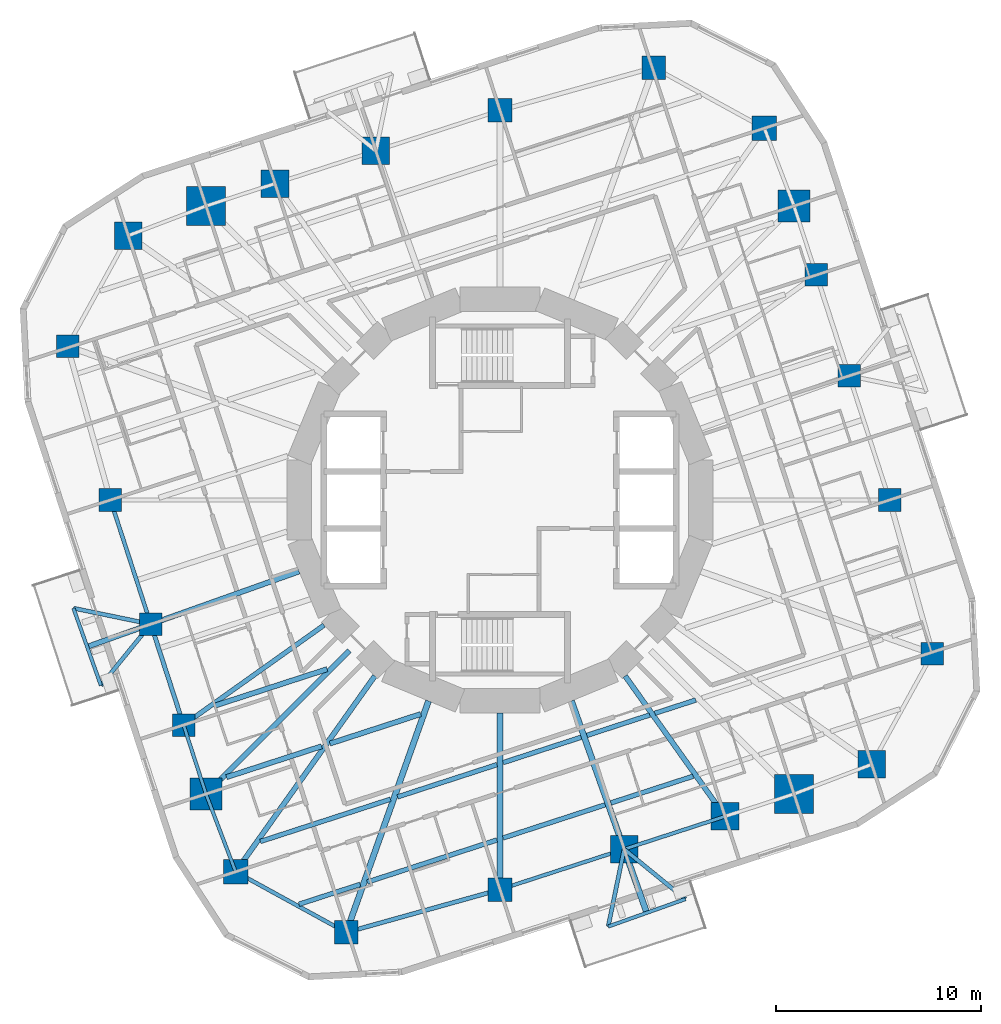
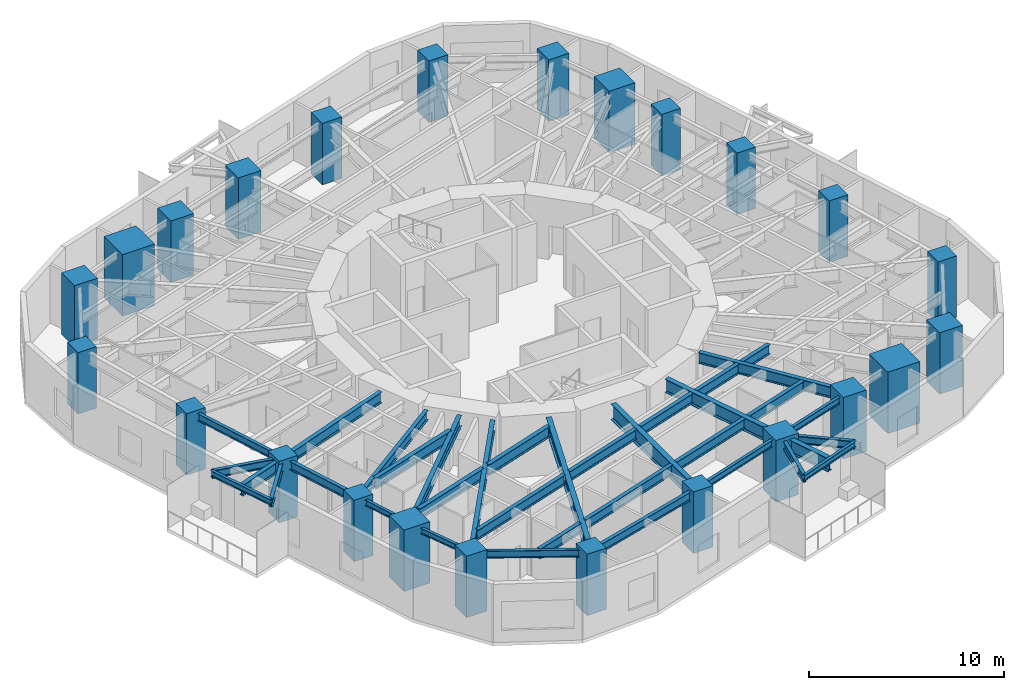
# One storey, part 1 of 12: 34 beams, 24 columns.
"""IFC4 building model written with IfcOpenShell, lengths in metres."""

from ifc_helpers import new_model, si_unit, direction, frame, origin, origin_2d, place, context, subcontext, project, spatial, rectangle, i_section, extrude, material, material_profile, profile_set, type_object, element, save


model = new_model("IFC4")

# Units and contexts
model_context = context("Model", 3, precision=1e-05, world=origin(), true_north=direction((0.0, 1.0)))
body_context = subcontext(model_context, "Body", "Model", "MODEL_VIEW")
ifc_project = project(units=[si_unit("LENGTHUNIT", "METRE"), si_unit("AREAUNIT", "SQUARE_METRE"), si_unit("VOLUMEUNIT", "CUBIC_METRE"), si_unit("PLANEANGLEUNIT", "RADIAN"), si_unit("MASSUNIT", "GRAM", prefix="KILO")], contexts=[model_context])

# Site, building, storey
site_placement = place(None, origin())
site = spatial("IfcSite", under=ifc_project, at=site_placement, CompositionType="ELEMENT")
building_placement = place(site_placement, origin())
building = spatial("IfcBuilding", under=site, at=building_placement, Name="Nakasero Lantern House", CompositionType="ELEMENT")
storey_placement = place(building_placement, frame((0.0, 0.0, 153.35009765625)))
storey = spatial("IfcBuildingStorey", under=building, at=storey_placement, Name="L37", CompositionType="ELEMENT", Elevation=153.35009765625)

# Columns
ifc_material_1 = material(Name="Concrete C50/60", Category="concrete")
ifc_material_profile_1 = material_profile(ifc_material_1, rectangle(XDim=1.550048828125, YDim=1.550048828125, at=origin_2d()), Name="RC 1550x1550")
ifc_profile_set_1 = profile_set([ifc_material_profile_1], Name="Concrete C50/60")
column_type_1 = type_object("IfcColumnType", Name="Mega column RC 1550x1550 C50/60", PredefinedType="COLUMN", material=ifc_profile_set_1)
for number, where, z_axis, x_axis, name in (
    (1, (14.3642578125, 14.3642578125, 0.0), (0.0, 0.0, 1.0), (1.0, 0.0, 0.0), "Column B4-C06 L37"),
    (2, (-14.3642578125, -14.3642578125, 0.0), (0.0, 0.0, 1.0), (1.0, 0.0, 0.0), "Column B4-C18 L37"),
):
    element("IfcColumn", number, at=place(storey_placement, frame(where, z_axis=z_axis, x_axis=x_axis)), inside=storey, type_object=column_type_1, Name=name, PredefinedType="COLUMN", context=body_context, shape_type="SweptSolid", body=[
        extrude(rectangle(XDim=1.550048828125, YDim=1.550048828125, at=origin_2d()), origin(), (0.0, 0.0, 1.0), 3.849853515625),
    ])
ifc_material_2 = material(Name="Concrete C50/60", Category="concrete")
ifc_material_profile_2 = material_profile(ifc_material_2, rectangle(XDim=1.89990234375, YDim=1.89990234375, at=origin_2d()), Name="RC 1900x1900")
ifc_profile_set_2 = profile_set([ifc_material_profile_2], Name="Concrete C50/60")
column_type_2 = type_object("IfcColumnType", Name="Mega column RC 1900x1900 C50/60", PredefinedType="COLUMN", material=ifc_profile_set_2)
for number, where, z_axis, x_axis, name in (
    (3, (-14.3642578125, 14.3642578125, 0.0), (0.0, 0.0, 1.0), (1.0, 0.0, 0.0), "Column B4-C12 L37"),
    (4, (14.3642578125, -14.3642578125, 0.0), (0.0, 0.0, 1.0), (1.0, 0.0, 0.0), "Column B4-C24 L37"),
):
    element("IfcColumn", number, at=place(storey_placement, frame(where, z_axis=z_axis, x_axis=x_axis)), inside=storey, type_object=column_type_2, Name=name, PredefinedType="COLUMN", context=body_context, shape_type="SweptSolid", body=[
        extrude(rectangle(XDim=1.89990234375, YDim=1.89990234375, at=origin_2d()), origin(), (0.0, 0.0, 1.0), 3.849853515625),
    ])
ifc_material_3 = material(Name="Concrete C50/60", Category="concrete")
ifc_material_profile_3 = material_profile(ifc_material_3, rectangle(XDim=1.10009765625, YDim=1.10009765625, at=origin_2d()), Name="RC 1100x1100")
ifc_profile_set_3 = profile_set([ifc_material_profile_3], Name="Concrete C50/60")
column_type_3 = type_object("IfcColumnType", Name="Ring column RC 1100x1100 C50/60", PredefinedType="COLUMN", material=ifc_profile_set_3)
for number, where, z_axis, x_axis, name in (
    (5, (21.129638671875, -7.5126953125, 0.0), (0.0, 0.0, 1.0), (1.0, 0.0, 0.0), "Column B4-C02 L37"),
    (6, (19.031494140625, 0.0, 0.0), (0.0, 0.0, 1.0), (1.0, 0.0, 0.0), "Column B4-C03 L37"),
    (7, (17.060546875, 6.06591796875, 0.0), (0.0, 0.0, 1.0), (1.0, 0.0, 0.0), "Column B4-C04 L37"),
    (8, (15.45947265625, 10.993408203125, 0.0), (0.0, 0.0, 1.0), (1.0, 0.0, 0.0), "Column B4-C05 L37"),
    (9, (-21.129638671875, 7.5126953125, 0.0), (0.0, 0.0, 1.0), (1.0, 0.0, 0.0), "Column B4-C14 L37"),
    (10, (-19.031494140625, 0.0, 0.0), (0.0, 0.0, 1.0), (1.0, 0.0, 0.0), "Column B4-C15 L37"),
    (11, (-17.060546875, -6.06591796875, 0.0), (0.0, 0.0, 1.0), (1.0, 0.0, 0.0), "Column B4-C16 L37"),
    (12, (-15.45947265625, -10.993408203125, 0.0), (0.0, 0.0, 1.0), (1.0, 0.0, 0.0), "Column B4-C17 L37"),
):
    element("IfcColumn", number, at=place(storey_placement, frame(where, z_axis=z_axis, x_axis=x_axis)), inside=storey, type_object=column_type_3, Name=name, PredefinedType="COLUMN", context=body_context, shape_type="SweptSolid", body=[
        extrude(rectangle(XDim=1.10009765625, YDim=1.10009765625, at=origin_2d()), origin(), (0.0, 0.0, 1.0), 3.849853515625),
    ])
ifc_material_4 = material(Name="Concrete C50/60", Category="concrete")
ifc_material_profile_4 = material_profile(ifc_material_4, rectangle(XDim=1.14990234375, YDim=1.14990234375, at=origin_2d()), Name="RC 1150x1150")
ifc_profile_set_4 = profile_set([ifc_material_profile_4], Name="Concrete C50/60")
column_type_4 = type_object("IfcColumnType", Name="Ring column RC 1150x1150 C50/60", PredefinedType="COLUMN", material=ifc_profile_set_4)
for number, where, z_axis, x_axis, name in (
    (13, (7.5126953125, 21.129638671875, 0.0), (0.0, 0.0, 1.0), (1.0, 0.0, 0.0), "Column B4-C08 L37"),
    (14, (0.0, 19.031494140625, 0.0), (0.0, 0.0, 1.0), (1.0, 0.0, 0.0), "Column B4-C09 L37"),
    (15, (-7.5126953125, -21.129638671875, 0.0), (0.0, 0.0, 1.0), (1.0, 0.0, 0.0), "Column B4-C20 L37"),
    (16, (0.0, -19.031494140625, 0.0), (0.0, 0.0, 1.0), (1.0, 0.0, 0.0), "Column B4-C21 L37"),
):
    element("IfcColumn", number, at=place(storey_placement, frame(where, z_axis=z_axis, x_axis=x_axis)), inside=storey, type_object=column_type_4, Name=name, PredefinedType="COLUMN", context=body_context, shape_type="SweptSolid", body=[
        extrude(rectangle(XDim=1.14990234375, YDim=1.14990234375, at=origin_2d()), origin(), (0.0, 0.0, 1.0), 3.849853515625),
    ])
ifc_material_5 = material(Name="Concrete C50/60", Category="concrete")
ifc_material_profile_5 = material_profile(ifc_material_5, rectangle(XDim=1.199951171875, YDim=1.199951171875, at=origin_2d()), Name="RC 1200x1200")
ifc_profile_set_5 = profile_set([ifc_material_profile_5], Name="Concrete C50/60")
column_type_5 = type_object("IfcColumnType", Name="Ring column RC 1200x1200 C50/60", PredefinedType="COLUMN", material=ifc_profile_set_5)
for number, where, z_axis, x_axis, name in (
    (17, (12.916015625, 18.1630859375, 0.0), (0.0, 0.0, 1.0), (1.0, 0.0, 0.0), "Column B4-C07 L37"),
    (18, (-12.916015625, -18.1630859375, 0.0), (0.0, 0.0, 1.0), (1.0, 0.0, 0.0), "Column B4-C19 L37"),
):
    element("IfcColumn", number, at=place(storey_placement, frame(where, z_axis=z_axis, x_axis=x_axis)), inside=storey, type_object=column_type_5, Name=name, PredefinedType="COLUMN", context=body_context, shape_type="SweptSolid", body=[
        extrude(rectangle(XDim=1.199951171875, YDim=1.199951171875, at=origin_2d()), origin(), (0.0, 0.0, 1.0), 3.849853515625),
    ])
ifc_material_6 = material(Name="Concrete C50/60", Category="concrete")
ifc_material_profile_6 = material_profile(ifc_material_6, rectangle(XDim=1.35009765625, YDim=1.35009765625, at=origin_2d()), Name="RC 1350x1350")
ifc_profile_set_6 = profile_set([ifc_material_profile_6], Name="Concrete C50/60")
column_type_6 = type_object("IfcColumnType", Name="Ring column RC 1350x1350 C50/60", PredefinedType="COLUMN", material=ifc_profile_set_6)
for number, where, z_axis, x_axis, name in (
    (19, (18.1630859375, -12.916015625, 0.0), (0.0, 0.0, 1.0), (1.0, 0.0, 0.0), "Column B4-C01 L37"),
    (20, (-6.06591796875, 17.060546875, 0.0), (0.0, 0.0, 1.0), (1.0, 0.0, 0.0), "Column B4-C10 L37"),
    (21, (-10.993408203125, 15.45947265625, 0.0), (0.0, 0.0, 1.0), (1.0, 0.0, 0.0), "Column B4-C11 L37"),
    (22, (-18.1630859375, 12.916015625, 0.0), (0.0, 0.0, 1.0), (1.0, 0.0, 0.0), "Column B4-C13 L37"),
    (23, (6.06591796875, -17.060546875, 0.0), (0.0, 0.0, 1.0), (1.0, 0.0, 0.0), "Column B4-C22 L37"),
    (24, (10.993408203125, -15.45947265625, 0.0), (0.0, 0.0, 1.0), (1.0, 0.0, 0.0), "Column B4-C23 L37"),
):
    element("IfcColumn", number, at=place(storey_placement, frame(where, z_axis=z_axis, x_axis=x_axis)), inside=storey, type_object=column_type_6, Name=name, PredefinedType="COLUMN", context=body_context, shape_type="SweptSolid", body=[
        extrude(rectangle(XDim=1.35009765625, YDim=1.35009765625, at=origin_2d()), origin(), (0.0, 0.0, 1.0), 3.849853515625),
    ])

# Beams
ifc_material_7 = material(Name="Steel S355", Category="steel")
ifc_material_profile_7 = material_profile(ifc_material_7, i_section(OverallWidth=0.199462890625, OverallDepth=0.491943359375, WebThickness=0.01806640625, FlangeThickness=0.031982421875, FilletRadius=0.01025390625, at=origin_2d()), Name="UB 457x191x161")
ifc_profile_set_7 = profile_set([ifc_material_profile_7], Name="Steel S355")
beam_type_1 = type_object("IfcBeamType", Name="Balcony splay beam UB 457x191x161", PredefinedType="BEAM", material=ifc_profile_set_7)
for number, where, z_axis, x_axis, name in (
    (25, (-17.060546875, -6.06591796875, 3.40380859375), (-0.632127727159, -0.774864205236, 0.0), (0.774864205236, -0.632127727159, 0.0), "Balcony splay beam L38 B4-C16A"),
    (26, (-17.060546875, -6.06591796875, 3.40380859375), (-0.979420272605, 0.201831438605, 0.0), (-0.201831438605, -0.979420272605, 0.0), "Balcony splay beam L38 B4-C16B"),
    (27, (6.06591796875, -17.060546875, 3.40380859375), (0.774864205236, -0.632127727159, 0.0), (0.632127727159, 0.774864205236, 0.0), "Balcony splay beam L38 B4-C22A"),
    (28, (6.06591796875, -17.060546875, 3.40380859375), (-0.201831438605, -0.979420272605, 0.0), (0.979420272605, -0.201831438605, 0.0), "Balcony splay beam L38 B4-C22B"),
):
    element("IfcBeam", number, at=place(storey_placement, frame(where, z_axis=z_axis, x_axis=x_axis)), inside=storey, type_object=beam_type_1, Name=name, PredefinedType="BEAM", context=body_context, shape_type="SweptSolid", body=[
        extrude(i_section(OverallWidth=0.199462890625, OverallDepth=0.491943359375, WebThickness=0.01806640625, FlangeThickness=0.031982421875, FilletRadius=0.01025390625, at=origin_2d()), origin(), (0.0, 0.0, 1.0), 3.858642578125),
    ])
ifc_material_8 = material(Name="Steel S355", Category="steel")
ifc_material_profile_8 = material_profile(ifc_material_8, i_section(OverallWidth=0.17138671875, OverallDepth=0.35498046875, WebThickness=0.00732421875, FlangeThickness=0.011474609375, FilletRadius=0.01025390625, at=origin_2d()), Name="UB 356x171x51")
ifc_profile_set_8 = profile_set([ifc_material_profile_8], Name="Steel S355")
beam_type_2 = type_object("IfcBeamType", Name="Balcony tie beam UB 356x171x51", PredefinedType="BEAM", material=ifc_profile_set_8)
for number, where, z_axis, x_axis, name in (
    (29, (-19.499755859375, -9.055908203125, 3.472412109375), (-0.335025321236, 0.942209124415, 0.0), (-0.942209124415, -0.335025321236, 0.0), "Balcony tie beam L38 B4-C16"),
    (30, (9.055908203125, -19.499755859375, 3.472412109375), (-0.942209124415, -0.335025321236, 0.0), (0.335025321236, -0.942209124415, 0.0), "Balcony tie beam L38 B4-C22"),
):
    element("IfcBeam", number, at=place(storey_placement, frame(where, z_axis=z_axis, x_axis=x_axis)), inside=storey, type_object=beam_type_2, Name=name, PredefinedType="BEAM", context=body_context, shape_type="SweptSolid", body=[
        extrude(i_section(OverallWidth=0.17138671875, OverallDepth=0.35498046875, WebThickness=0.00732421875, FlangeThickness=0.011474609375, FilletRadius=0.01025390625, at=origin_2d()), origin(), (0.0, 0.0, 1.0), 4.0),
    ])
ifc_material_9 = material(Name="Steel S355", Category="steel")
ifc_material_profile_9 = material_profile(ifc_material_9, i_section(OverallWidth=0.22900390625, OverallDepth=0.6123046875, WebThickness=0.011962890625, FlangeThickness=0.01953125, FilletRadius=0.0126953125, at=origin_2d()), Name="UB 610x229x125")
ifc_profile_set_9 = profile_set([ifc_material_profile_9], Name="Steel S355")
beam_type_3 = type_object("IfcBeamType", Name="Infill beam UB 610x229x125", PredefinedType="JOIST", material=ifc_profile_set_9)
beam_1_placement = place(storey_placement, frame((-9.823974609375, -19.75244140625, 3.34375), z_axis=(0.951054602662, 0.309022883872, 0.0), x_axis=(-0.309022883872, 0.951054602662, 0.0)))
element("IfcBeam", 31, at=beam_1_placement, inside=storey, type_object=beam_type_3, Name="Infill beam L38 03.1", PredefinedType="JOIST", context=body_context, shape_type="SweptSolid", body=[
    extrude(i_section(OverallWidth=0.22900390625, OverallDepth=0.6123046875, WebThickness=0.011962890625, FlangeThickness=0.01953125, FilletRadius=0.0126953125, at=origin_2d()), origin(), (0.0, 0.0, 1.0), 3.145263671875),
])
beam_2_placement = place(storey_placement, frame((-6.48193359375, -18.66650390625, 3.34375), z_axis=(0.951068556075, 0.308979937287, 0.0), x_axis=(-0.308979937287, 0.951068556075, 0.0)))
element("IfcBeam", 32, at=beam_2_placement, inside=storey, type_object=beam_type_3, Name="Infill beam L38 03.2", PredefinedType="JOIST", context=body_context, shape_type="SweptSolid", body=[
    extrude(i_section(OverallWidth=0.22900390625, OverallDepth=0.6123046875, WebThickness=0.011962890625, FlangeThickness=0.01953125, FilletRadius=0.0126953125, at=origin_2d()), origin(), (0.0, 0.0, 1.0), 6.65771484375),
])
beam_3_placement = place(storey_placement, frame((0.14990234375, -16.51171875, 3.34375), z_axis=(0.951061765699, 0.309000837904, 0.0), x_axis=(-0.309000837904, 0.951061765699, 0.0)))
element("IfcBeam", 33, at=beam_3_placement, inside=storey, type_object=beam_type_3, Name="Infill beam L38 03.3", PredefinedType="JOIST", context=body_context, shape_type="SweptSolid", body=[
    extrude(i_section(OverallWidth=0.22900390625, OverallDepth=0.6123046875, WebThickness=0.011962890625, FlangeThickness=0.01953125, FilletRadius=0.0126953125, at=origin_2d()), origin(), (0.0, 0.0, 1.0), 5.246337890625),
])
beam_4_placement = place(storey_placement, frame((5.41748046875, -14.80029296875, 3.34375), z_axis=(0.951057398427, 0.30901427944, 0.0), x_axis=(-0.30901427944, 0.951057398427, 0.0)))
element("IfcBeam", 34, at=beam_4_placement, inside=storey, type_object=beam_type_3, Name="Infill beam L38 03.4", PredefinedType="JOIST", context=body_context, shape_type="SweptSolid", body=[
    extrude(i_section(OverallWidth=0.22900390625, OverallDepth=0.6123046875, WebThickness=0.011962890625, FlangeThickness=0.01953125, FilletRadius=0.0126953125, at=origin_2d()), origin(), (0.0, 0.0, 1.0), 4.229248046875),
])
beam_5_placement = place(storey_placement, frame((-11.709228515625, -16.68505859375, 3.34375), z_axis=(0.951056080098, 0.30901833685, 0.0), x_axis=(-0.30901833685, 0.951056080098, 0.0)))
element("IfcBeam", 35, at=beam_5_placement, inside=storey, type_object=beam_type_3, Name="Infill beam L38 04.1", PredefinedType="JOIST", context=body_context, shape_type="SweptSolid", body=[
    extrude(i_section(OverallWidth=0.22900390625, OverallDepth=0.6123046875, WebThickness=0.011962890625, FlangeThickness=0.01953125, FilletRadius=0.0126953125, at=origin_2d()), origin(), (0.0, 0.0, 1.0), 6.68310546875),
])
beam_6_placement = place(storey_placement, frame((-5.00244140625, -14.505859375, 3.34375), z_axis=(0.951057977144, 0.309012498309, 0.0), x_axis=(-0.309012498309, 0.951057977144, 0.0)))
element("IfcBeam", 36, at=beam_6_placement, inside=storey, type_object=beam_type_3, Name="Infill beam L38 04.2", PredefinedType="JOIST", context=body_context, shape_type="SweptSolid", body=[
    extrude(i_section(OverallWidth=0.22900390625, OverallDepth=0.6123046875, WebThickness=0.011962890625, FlangeThickness=0.01953125, FilletRadius=0.0126953125, at=origin_2d()), origin(), (0.0, 0.0, 1.0), 5.102294921875),
])
beam_7_placement = place(storey_placement, frame((0.14990234375, -12.831787109375, 3.34375), z_axis=(0.95105910343, 0.309009031878, 0.0), x_axis=(-0.309009031878, 0.95105910343, 0.0)))
element("IfcBeam", 37, at=beam_7_placement, inside=storey, type_object=beam_type_3, Name="Infill beam L38 04.3", PredefinedType="JOIST", context=body_context, shape_type="SweptSolid", body=[
    extrude(i_section(OverallWidth=0.22900390625, OverallDepth=0.6123046875, WebThickness=0.011962890625, FlangeThickness=0.01953125, FilletRadius=0.0126953125, at=origin_2d()), origin(), (0.0, 0.0, 1.0), 4.0126953125),
])
beam_8_placement = place(storey_placement, frame((4.24462890625, -11.501220703125, 3.34375), z_axis=(0.951054080044, 0.309024492283, 0.0), x_axis=(-0.309024492283, 0.951054080044, 0.0)))
element("IfcBeam", 38, at=beam_8_placement, inside=storey, type_object=beam_type_3, Name="Infill beam L38 04.4", PredefinedType="JOIST", context=body_context, shape_type="SweptSolid", body=[
    extrude(i_section(OverallWidth=0.22900390625, OverallDepth=0.6123046875, WebThickness=0.011962890625, FlangeThickness=0.01953125, FilletRadius=0.0126953125, at=origin_2d()), origin(), (0.0, 0.0, 1.0), 3.227294921875),
])
beam_9_placement = place(storey_placement, frame((7.566650390625, -10.421875, 3.34375), z_axis=(0.951053739923, 0.30902553904, 0.0), x_axis=(-0.30902553904, 0.951053739923, 0.0)))
element("IfcBeam", 39, at=beam_9_placement, inside=storey, type_object=beam_type_3, Name="Infill beam L38 04.5", PredefinedType="JOIST", context=body_context, shape_type="SweptSolid", body=[
    extrude(i_section(OverallWidth=0.22900390625, OverallDepth=0.6123046875, WebThickness=0.011962890625, FlangeThickness=0.01953125, FilletRadius=0.0126953125, at=origin_2d()), origin(), (0.0, 0.0, 1.0), 2.09765625),
])
ifc_material_10 = material(Name="Steel S355", Category="steel")
ifc_material_profile_10 = material_profile(ifc_material_10, i_section(OverallWidth=0.253662109375, OverallDepth=0.68359375, WebThickness=0.012451171875, FlangeThickness=0.01904296875, FilletRadius=0.01513671875, at=origin_2d()), Name="UB 686x254x140")
ifc_profile_set_10 = profile_set([ifc_material_profile_10], Name="Steel S355")
beam_type_4 = type_object("IfcBeamType", Name="Infill beam UB 686x254x140", PredefinedType="JOIST", material=ifc_profile_set_10)
beam_10_placement = place(storey_placement, frame((-13.36279296875, -13.5419921875, 3.30810546875), z_axis=(0.951061574069, 0.309001427713, 0.0), x_axis=(-0.309001427713, 0.951061574069, 0.0)))
element("IfcBeam", 40, at=beam_10_placement, inside=storey, type_object=beam_type_4, Name="Infill beam L38 05.1", PredefinedType="JOIST", context=body_context, shape_type="SweptSolid", body=[
    extrude(i_section(OverallWidth=0.253662109375, OverallDepth=0.68359375, WebThickness=0.012451171875, FlangeThickness=0.01904296875, FilletRadius=0.01513671875, at=origin_2d()), origin(), (0.0, 0.0, 1.0), 4.8916015625),
])
beam_11_placement = place(storey_placement, frame((-8.305908203125, -11.89892578125, 3.30810546875), z_axis=(0.95106063111, 0.309004329989, 0.0), x_axis=(-0.309004329989, 0.95106063111, 0.0)))
element("IfcBeam", 41, at=beam_11_placement, inside=storey, type_object=beam_type_4, Name="Infill beam L38 05.2", PredefinedType="JOIST", context=body_context, shape_type="SweptSolid", body=[
    extrude(i_section(OverallWidth=0.253662109375, OverallDepth=0.68359375, WebThickness=0.012451171875, FlangeThickness=0.01904296875, FilletRadius=0.01513671875, at=origin_2d()), origin(), (0.0, 0.0, 1.0), 4.659912109375),
])
beam_12_placement = place(storey_placement, frame((-13.93017578125, -10.04638671875, 3.30810546875), z_axis=(0.951055211673, 0.309021009559, 0.0), x_axis=(-0.309021009559, 0.951055211673, 0.0)))
element("IfcBeam", 42, at=beam_12_placement, inside=storey, type_object=beam_type_4, Name="Infill beam L38 06.1", PredefinedType="JOIST", context=body_context, shape_type="SweptSolid", body=[
    extrude(i_section(OverallWidth=0.253662109375, OverallDepth=0.68359375, WebThickness=0.012451171875, FlangeThickness=0.01904296875, FilletRadius=0.01513671875, at=origin_2d()), origin(), (0.0, 0.0, 1.0), 5.769775390625),
])
ifc_material_11 = material(Name="Steel S355", Category="steel")
ifc_material_profile_11 = material_profile(ifc_material_11, i_section(OverallWidth=0.300048828125, OverallDepth=0.989990234375, WebThickness=0.0166015625, FlangeThickness=0.031005859375, FilletRadius=0.030029296875, at=origin_2d()), Name="UB 1016x305x272")
ifc_profile_set_11 = profile_set([ifc_material_profile_11], Name="Steel S355")
beam_type_5 = type_object("IfcBeamType", Name="Primary beam UB 1016x305x272, span 6 to 9 m", PredefinedType="BEAM", material=ifc_profile_set_11)
beam_13_placement = place(storey_placement, frame((0.0, -19.031494140625, 3.15478515625), z_axis=(0.0, 1.0, 0.0), x_axis=(-1.0, 0.0, 0.0)))
element("IfcBeam", 43, at=beam_13_placement, inside=storey, type_object=beam_type_5, Name="Primary beam L38 B4-C21", PredefinedType="BEAM", context=body_context, shape_type="SweptSolid", body=[
    extrude(i_section(OverallWidth=0.300048828125, OverallDepth=0.989990234375, WebThickness=0.0166015625, FlangeThickness=0.031005859375, FilletRadius=0.030029296875, at=origin_2d()), origin(), (0.0, 0.0, 1.0), 8.62353515625),
])
ifc_material_12 = material(Name="Steel S355", Category="steel")
ifc_material_profile_12 = material_profile(ifc_material_12, i_section(OverallWidth=0.22900390625, OverallDepth=0.6123046875, WebThickness=0.011962890625, FlangeThickness=0.01953125, FilletRadius=0.0126953125, at=origin_2d()), Name="UB 610x229x125")
ifc_profile_set_12 = profile_set([ifc_material_profile_12], Name="Steel S355")
beam_type_6 = type_object("IfcBeamType", Name="Primary beam UB 610x229x125, span 6 to 9 m", PredefinedType="BEAM", material=ifc_profile_set_12)
beam_14_placement = place(storey_placement, frame((-15.45947265625, -10.993408203125, 3.34375), z_axis=(0.81495106139, 0.579529781409, 0.0), x_axis=(-0.579529781409, 0.81495106139, 0.0)))
element("IfcBeam", 44, at=beam_14_placement, inside=storey, type_object=beam_type_6, Name="Primary beam L38 B4-C17", PredefinedType="BEAM", context=body_context, shape_type="SweptSolid", body=[
    extrude(i_section(OverallWidth=0.22900390625, OverallDepth=0.6123046875, WebThickness=0.011962890625, FlangeThickness=0.01953125, FilletRadius=0.0126953125, at=origin_2d()), origin(), (0.0, 0.0, 1.0), 8.41455078125),
])
ifc_material_13 = material(Name="Steel S355", Category="steel")
ifc_material_profile_13 = material_profile(ifc_material_13, i_section(OverallWidth=0.253662109375, OverallDepth=0.68359375, WebThickness=0.012451171875, FlangeThickness=0.01904296875, FilletRadius=0.01513671875, at=origin_2d()), Name="UB 686x254x140")
ifc_profile_set_13 = profile_set([ifc_material_profile_13], Name="Steel S355")
beam_type_7 = type_object("IfcBeamType", Name="Primary beam UB 686x254x140, span 6 to 9 m", PredefinedType="BEAM", material=ifc_profile_set_13)
beam_15_placement = place(storey_placement, frame((-20.169921875, -7.17138671875, 3.30810546875), z_axis=(0.942215625619, 0.335007036998, 0.0), x_axis=(-0.335007036998, 0.942215625619, 0.0)))
element("IfcBeam", 45, at=beam_15_placement, inside=storey, type_object=beam_type_7, Name="Primary beam L38 B4-C16", PredefinedType="BEAM", context=body_context, shape_type="SweptSolid", body=[
    extrude(i_section(OverallWidth=0.253662109375, OverallDepth=0.68359375, WebThickness=0.012451171875, FlangeThickness=0.01904296875, FilletRadius=0.01513671875, at=origin_2d()), origin(), (0.0, 0.0, 1.0), 10.9853515625),
])
beam_16_placement = place(storey_placement, frame((10.993408203125, -15.45947265625, 3.30810546875), z_axis=(-0.579529781409, 0.81495106139, 0.0), x_axis=(-0.81495106139, -0.579529781409, 0.0)))
element("IfcBeam", 46, at=beam_16_placement, inside=storey, type_object=beam_type_7, Name="Primary beam L38 B4-C23", PredefinedType="BEAM", context=body_context, shape_type="SweptSolid", body=[
    extrude(i_section(OverallWidth=0.253662109375, OverallDepth=0.68359375, WebThickness=0.012451171875, FlangeThickness=0.01904296875, FilletRadius=0.01513671875, at=origin_2d()), origin(), (0.0, 0.0, 1.0), 8.41455078125),
])
ifc_material_14 = material(Name="Steel S355", Category="steel")
ifc_material_profile_14 = material_profile(ifc_material_14, i_section(OverallWidth=0.253662109375, OverallDepth=0.68359375, WebThickness=0.012451171875, FlangeThickness=0.01904296875, FilletRadius=0.01513671875, at=origin_2d()), Name="UB 686x254x140")
ifc_profile_set_14 = profile_set([ifc_material_profile_14], Name="Steel S355")
beam_type_8 = type_object("IfcBeamType", Name="Primary beam UB 686x254x140, span 9 to 12 m", PredefinedType="BEAM", material=ifc_profile_set_14)
beam_17_placement = place(storey_placement, frame((-14.3642578125, -14.3642578125, 3.30810546875), z_axis=(0.707106781187, 0.707106781187, 0.0), x_axis=(-0.707106781187, 0.707106781187, 0.0)))
element("IfcBeam", 47, at=beam_17_placement, inside=storey, type_object=beam_type_8, Name="Primary beam L38 B4-C18", PredefinedType="BEAM", context=body_context, shape_type="SweptSolid", body=[
    extrude(i_section(OverallWidth=0.253662109375, OverallDepth=0.68359375, WebThickness=0.012451171875, FlangeThickness=0.01904296875, FilletRadius=0.01513671875, at=origin_2d()), origin(), (0.0, 0.0, 1.0), 9.906494140625),
])
beam_18_placement = place(storey_placement, frame((-12.916015625, -18.1630859375, 3.30810546875), z_axis=(0.579530236062, 0.814950738075, 0.0), x_axis=(-0.814950738075, 0.579530236062, 0.0)))
element("IfcBeam", 48, at=beam_18_placement, inside=storey, type_object=beam_type_8, Name="Primary beam L38 B4-C19", PredefinedType="BEAM", context=body_context, shape_type="SweptSolid", body=[
    extrude(i_section(OverallWidth=0.253662109375, OverallDepth=0.68359375, WebThickness=0.012451171875, FlangeThickness=0.01904296875, FilletRadius=0.01513671875, at=origin_2d()), origin(), (0.0, 0.0, 1.0), 11.73193359375),
])
ifc_material_15 = material(Name="Steel S355", Category="steel")
ifc_material_profile_15 = material_profile(ifc_material_15, i_section(OverallWidth=0.29248046875, OverallDepth=0.8408203125, WebThickness=0.0146484375, FlangeThickness=0.02685546875, FilletRadius=0.017822265625, at=origin_2d()), Name="UB 838x292x194")
ifc_profile_set_15 = profile_set([ifc_material_profile_15], Name="Steel S355")
beam_type_9 = type_object("IfcBeamType", Name="Primary beam UB 838x292x194, span 12 to 15 m", PredefinedType="BEAM", material=ifc_profile_set_15)
beam_19_placement = place(storey_placement, frame((-7.5126953125, -21.129638671875, 3.2294921875), z_axis=(0.335012877559, 0.942213548974, 0.0), x_axis=(-0.942213548974, 0.335012877559, 0.0)))
element("IfcBeam", 49, at=beam_19_placement, inside=storey, type_object=beam_type_9, Name="Primary beam L38 B4-C20", PredefinedType="BEAM", context=body_context, shape_type="SweptSolid", body=[
    extrude(i_section(OverallWidth=0.29248046875, OverallDepth=0.8408203125, WebThickness=0.0146484375, FlangeThickness=0.02685546875, FilletRadius=0.017822265625, at=origin_2d()), origin(), (0.0, 0.0, 1.0), 12.00390625),
])
ifc_material_16 = material(Name="Steel S355", Category="steel")
ifc_material_profile_16 = material_profile(ifc_material_16, i_section(OverallWidth=0.29248046875, OverallDepth=0.8408203125, WebThickness=0.0146484375, FlangeThickness=0.02685546875, FilletRadius=0.017822265625, at=origin_2d()), Name="UB 838x292x194")
ifc_profile_set_16 = profile_set([ifc_material_profile_16], Name="Steel S355")
beam_type_10 = type_object("IfcBeamType", Name="Primary beam UB 838x292x194, span 6 to 9 m", PredefinedType="BEAM", material=ifc_profile_set_16)
beam_20_placement = place(storey_placement, frame((7.17138671875, -20.169921875, 3.2294921875), z_axis=(-0.335007036998, 0.942215625619, 0.0), x_axis=(-0.942215625619, -0.335007036998, 0.0)))
element("IfcBeam", 50, at=beam_20_placement, inside=storey, type_object=beam_type_10, Name="Primary beam L38 B4-C22", PredefinedType="BEAM", context=body_context, shape_type="SweptSolid", body=[
    extrude(i_section(OverallWidth=0.29248046875, OverallDepth=0.8408203125, WebThickness=0.0146484375, FlangeThickness=0.02685546875, FilletRadius=0.017822265625, at=origin_2d()), origin(), (0.0, 0.0, 1.0), 10.9853515625),
])
ifc_material_17 = material(Name="Steel S355", Category="steel")
ifc_material_profile_17 = material_profile(ifc_material_17, i_section(OverallWidth=0.17138671875, OverallDepth=0.35498046875, WebThickness=0.00732421875, FlangeThickness=0.011474609375, FilletRadius=0.01025390625, at=origin_2d()), Name="UB 356x171x51")
ifc_profile_set_17 = profile_set([ifc_material_profile_17], Name="Steel S355")
beam_type_11 = type_object("IfcBeamType", Name="Ring beam UB 356x171x51", PredefinedType="BEAM", material=ifc_profile_set_17)
beam_21_placement = place(storey_placement, frame((-15.45947265625, -10.993408203125, 3.472412109375), z_axis=(0.309006636447, -0.951059881727, 0.0), x_axis=(0.951059881727, 0.309006636447, 0.0)))
element("IfcBeam", 51, at=beam_21_placement, inside=storey, type_object=beam_type_11, Name="Ring beam L38 B4-C17", PredefinedType="BEAM", context=body_context, shape_type="SweptSolid", body=[
    extrude(i_section(OverallWidth=0.17138671875, OverallDepth=0.35498046875, WebThickness=0.00732421875, FlangeThickness=0.011474609375, FilletRadius=0.01025390625, at=origin_2d()), origin(), (0.0, 0.0, 1.0), 3.544189453125),
])
beam_22_placement = place(storey_placement, frame((-14.3642578125, -14.3642578125, 3.472412109375), z_axis=(0.35622505813, -0.934400186194, 0.0), x_axis=(0.934400186194, 0.35622505813, 0.0)))
element("IfcBeam", 52, at=beam_22_placement, inside=storey, type_object=beam_type_11, Name="Ring beam L38 B4-C18", PredefinedType="BEAM", context=body_context, shape_type="SweptSolid", body=[
    extrude(i_section(OverallWidth=0.17138671875, OverallDepth=0.35498046875, WebThickness=0.00732421875, FlangeThickness=0.011474609375, FilletRadius=0.01025390625, at=origin_2d()), origin(), (0.0, 0.0, 1.0), 4.0654296875),
])
ifc_material_18 = material(Name="Steel S355", Category="steel")
ifc_material_profile_18 = material_profile(ifc_material_18, i_section(OverallWidth=0.177978515625, OverallDepth=0.406494140625, WebThickness=0.0078125, FlangeThickness=0.0126953125, FilletRadius=0.01025390625, at=origin_2d()), Name="UB 406x178x60")
ifc_profile_set_18 = profile_set([ifc_material_profile_18], Name="Steel S355")
beam_type_12 = type_object("IfcBeamType", Name="Ring beam UB 406x178x60", PredefinedType="BEAM", material=ifc_profile_set_18)
beam_23_placement = place(storey_placement, frame((6.06591796875, -17.060546875, 3.44677734375), z_axis=(0.95105449754, 0.309023207396, 0.0), x_axis=(-0.309023207396, 0.95105449754, 0.0)))
element("IfcBeam", 53, at=beam_23_placement, inside=storey, type_object=beam_type_12, Name="Ring beam L38 B4-C22", PredefinedType="BEAM", context=body_context, shape_type="SweptSolid", body=[
    extrude(i_section(OverallWidth=0.177978515625, OverallDepth=0.406494140625, WebThickness=0.0078125, FlangeThickness=0.0126953125, FilletRadius=0.01025390625, at=origin_2d()), origin(), (0.0, 0.0, 1.0), 5.18115234375),
])
ifc_material_19 = material(Name="Steel S355", Category="steel")
ifc_material_profile_19 = material_profile(ifc_material_19, i_section(OverallWidth=0.179443359375, OverallDepth=0.412841796875, WebThickness=0.009521484375, FlangeThickness=0.01611328125, FilletRadius=0.01025390625, at=origin_2d()), Name="UB 406x178x74")
ifc_profile_set_19 = profile_set([ifc_material_profile_19], Name="Steel S355")
beam_type_13 = type_object("IfcBeamType", Name="Ring beam UB 406x178x74", PredefinedType="BEAM", material=ifc_profile_set_19)
beam_24_placement = place(storey_placement, frame((0.0, -19.031494140625, 3.443603515625), z_axis=(0.951056007502, 0.309018560274, 0.0), x_axis=(-0.309018560274, 0.951056007502, 0.0)))
element("IfcBeam", 54, at=beam_24_placement, inside=storey, type_object=beam_type_13, Name="Ring beam L38 B4-C21", PredefinedType="BEAM", context=body_context, shape_type="SweptSolid", body=[
    extrude(i_section(OverallWidth=0.179443359375, OverallDepth=0.412841796875, WebThickness=0.009521484375, FlangeThickness=0.01611328125, FilletRadius=0.01025390625, at=origin_2d()), origin(), (0.0, 0.0, 1.0), 6.378173828125),
])
ifc_material_20 = material(Name="Steel S355", Category="steel")
ifc_material_profile_20 = material_profile(ifc_material_20, i_section(OverallWidth=0.18994140625, OverallDepth=0.453369140625, WebThickness=0.008544921875, FlangeThickness=0.0126953125, FilletRadius=0.01025390625, at=origin_2d()), Name="UB 457x191x67")
ifc_profile_set_20 = profile_set([ifc_material_profile_20], Name="Steel S355")
beam_type_14 = type_object("IfcBeamType", Name="Ring beam UB 457x191x67", PredefinedType="BEAM", material=ifc_profile_set_20)
beam_25_placement = place(storey_placement, frame((-19.031494140625, 0.0, 3.423095703125), z_axis=(0.309018560274, -0.951056007502, 0.0), x_axis=(0.951056007502, 0.309018560274, 0.0)))
element("IfcBeam", 55, at=beam_25_placement, inside=storey, type_object=beam_type_14, Name="Ring beam L38 B4-C15", PredefinedType="BEAM", context=body_context, shape_type="SweptSolid", body=[
    extrude(i_section(OverallWidth=0.18994140625, OverallDepth=0.453369140625, WebThickness=0.008544921875, FlangeThickness=0.0126953125, FilletRadius=0.01025390625, at=origin_2d()), origin(), (0.0, 0.0, 1.0), 6.378173828125),
])
beam_26_placement = place(storey_placement, frame((-12.916015625, -18.1630859375, 3.423095703125), z_axis=(0.876576912681, -0.481261795861, 0.0), x_axis=(0.481261795861, 0.876576912681, 0.0)))
element("IfcBeam", 56, at=beam_26_placement, inside=storey, type_object=beam_type_14, Name="Ring beam L38 B4-C19", PredefinedType="BEAM", context=body_context, shape_type="SweptSolid", body=[
    extrude(i_section(OverallWidth=0.18994140625, OverallDepth=0.453369140625, WebThickness=0.008544921875, FlangeThickness=0.0126953125, FilletRadius=0.01025390625, at=origin_2d()), origin(), (0.0, 0.0, 1.0), 6.1640625),
])
ifc_material_21 = material(Name="Steel S355", Category="steel")
ifc_material_profile_21 = material_profile(ifc_material_21, i_section(OverallWidth=0.2099609375, OverallDepth=0.53662109375, WebThickness=0.0107421875, FlangeThickness=0.017333984375, FilletRadius=0.0126953125, at=origin_2d()), Name="UB 533x210x101")
ifc_profile_set_21 = profile_set([ifc_material_profile_21], Name="Steel S355")
beam_type_15 = type_object("IfcBeamType", Name="Ring beam UB 533x210x101", PredefinedType="BEAM", material=ifc_profile_set_21)
beam_27_placement = place(storey_placement, frame((-17.060546875, -6.06591796875, 3.381591796875), z_axis=(0.309023207396, -0.95105449754, 0.0), x_axis=(0.95105449754, 0.309023207396, 0.0)))
element("IfcBeam", 57, at=beam_27_placement, inside=storey, type_object=beam_type_15, Name="Ring beam L38 B4-C16", PredefinedType="BEAM", context=body_context, shape_type="SweptSolid", body=[
    extrude(i_section(OverallWidth=0.2099609375, OverallDepth=0.53662109375, WebThickness=0.0107421875, FlangeThickness=0.017333984375, FilletRadius=0.0126953125, at=origin_2d()), origin(), (0.0, 0.0, 1.0), 5.18115234375),
])
ifc_material_22 = material(Name="Steel S355", Category="steel")
ifc_material_profile_22 = material_profile(ifc_material_22, i_section(OverallWidth=0.208740234375, OverallDepth=0.5283203125, WebThickness=0.009521484375, FlangeThickness=0.01318359375, FilletRadius=0.0126953125, at=origin_2d()), Name="UB 533x210x82")
ifc_profile_set_22 = profile_set([ifc_material_profile_22], Name="Steel S355")
beam_type_16 = type_object("IfcBeamType", Name="Ring beam UB 533x210x82", PredefinedType="BEAM", material=ifc_profile_set_22)
beam_28_placement = place(storey_placement, frame((-7.5126953125, -21.129638671875, 3.3857421875), z_axis=(0.963143892339, 0.268986696047, 0.0), x_axis=(-0.268986696047, 0.963143892339, 0.0)))
element("IfcBeam", 58, at=beam_28_placement, inside=storey, type_object=beam_type_16, Name="Ring beam L38 B4-C20", PredefinedType="BEAM", context=body_context, shape_type="SweptSolid", body=[
    extrude(i_section(OverallWidth=0.208740234375, OverallDepth=0.5283203125, WebThickness=0.009521484375, FlangeThickness=0.01318359375, FilletRadius=0.0126953125, at=origin_2d()), origin(), (0.0, 0.0, 1.0), 7.80029296875),
])

save(model, "model.ifc")
